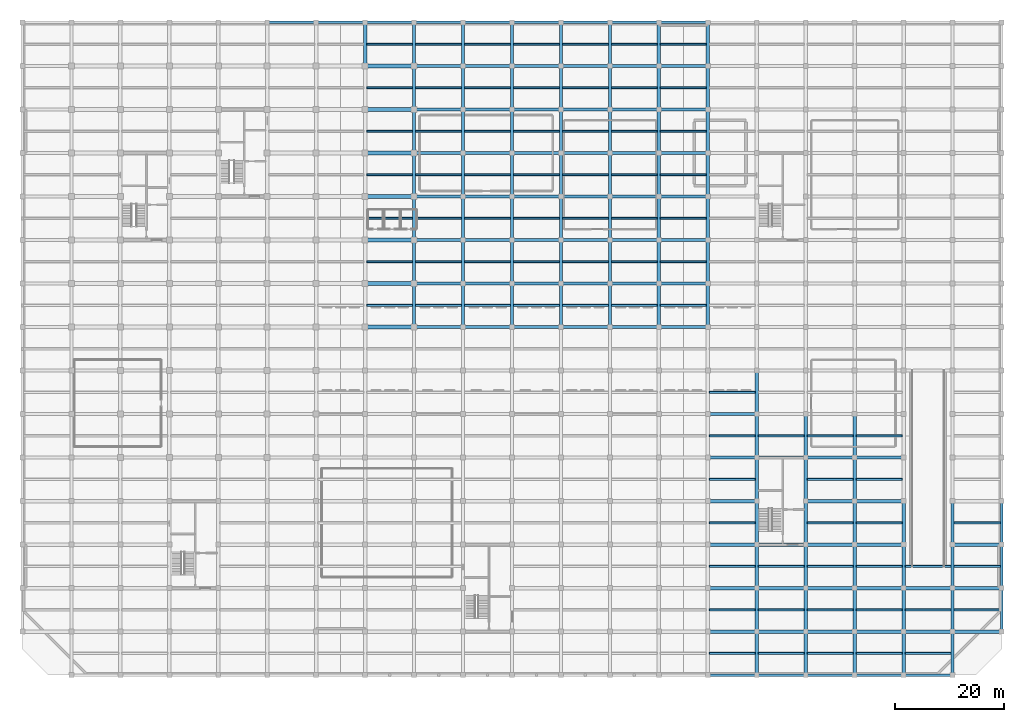
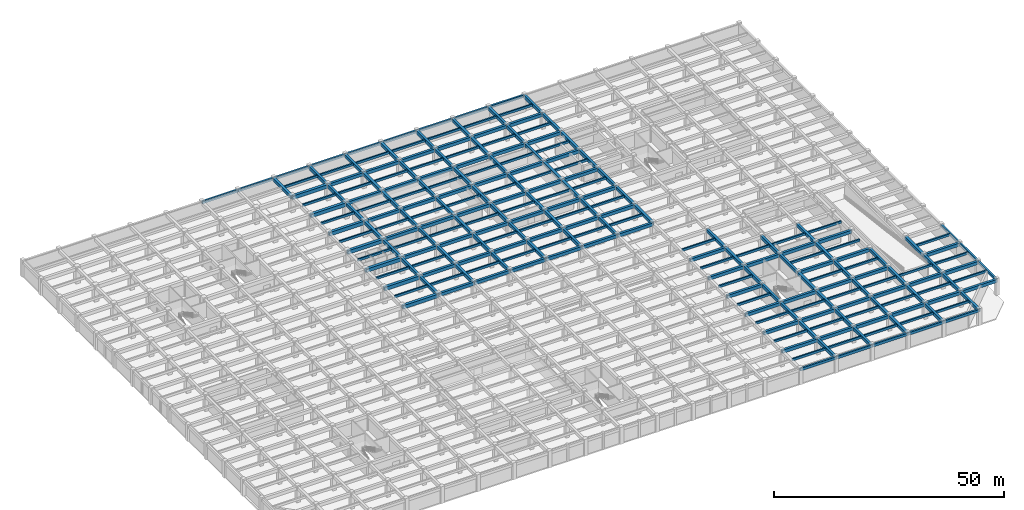
# One storey, part 6 of 26: 246 beams.
"""IFC4 building model written with IfcOpenShell, lengths in metres."""

from ifc_helpers import new_model, si_unit, direction, frame, origin, origin_2d, place, context, subcontext, project, spatial, rectangle, extrude, material, material_profile, profile_set, type_object, element, save


model = new_model("IFC4")

# Units and contexts
model_context = context("Model", 3, precision=1e-05, world=origin(), true_north=direction((0.0, 1.0)))
body_context = subcontext(model_context, "Body", "Model", "MODEL_VIEW")
ifc_project = project(units=[si_unit("LENGTHUNIT", "METRE"), si_unit("AREAUNIT", "SQUARE_METRE"), si_unit("VOLUMEUNIT", "CUBIC_METRE"), si_unit("PLANEANGLEUNIT", "RADIAN"), si_unit("MASSUNIT", "GRAM", prefix="KILO")], contexts=[model_context])

# Site, building, storey
site_placement = place(None, origin())
site = spatial("IfcSite", under=ifc_project, at=site_placement, CompositionType="ELEMENT")
building_placement = place(site_placement, origin())
building = spatial("IfcBuilding", under=site, at=building_placement, Name="Zaverband Oceanarium and Marine Research Institute", CompositionType="ELEMENT")
storey_placement = place(building_placement, frame((0.0, 0.0, -4.5)))
storey = spatial("IfcBuildingStorey", under=building, at=storey_placement, Name="B1", CompositionType="ELEMENT", Elevation=-4.5)

# Beams
ifc_material_1 = material(Name="Concrete C40/50", Category="concrete")
ifc_material_profile_1 = material_profile(ifc_material_1, rectangle(XDim=0.60009765625, YDim=0.85009765625, at=origin_2d()), Name="RC600x850")
ifc_profile_set_1 = profile_set([ifc_material_profile_1], Name="Concrete C40/50")
beam_type_1 = type_object("IfcBeamType", Name="BM-600x850", PredefinedType="BEAM", material=ifc_profile_set_1)
for number, where, z_axis, x_axis, name in (
    (1, (126.0, 8.0, 3.72509765625), (1.0, 0.0, 0.0), (0.0, 1.0, 0.0), "Primary floor girder BM-600x850"),
    (2, (135.0, 8.0, 3.72509765625), (1.0, 0.0, 0.0), (0.0, 1.0, 0.0), "Primary floor girder BM-600x850"),
    (3, (144.0, 8.0, 3.72509765625), (1.0, 0.0, 0.0), (0.0, 1.0, 0.0), "Primary floor girder BM-600x850"),
    (4, (153.0, 8.0, 3.72509765625), (1.0, 0.0, 0.0), (0.0, 1.0, 0.0), "Primary floor girder BM-600x850"),
    (5, (162.0, 8.0, 3.72509765625), (1.0, 0.0, 0.0), (0.0, 1.0, 0.0), "Primary floor girder BM-600x850"),
    (6, (171.0, 8.0, 3.72509765625), (1.0, 0.0, 0.0), (0.0, 1.0, 0.0), "Primary floor girder BM-600x850"),
    (7, (126.0, 16.0, 3.72509765625), (1.0, 0.0, 0.0), (0.0, 1.0, 0.0), "Primary floor girder BM-600x850"),
    (8, (135.0, 16.0, 3.72509765625), (1.0, 0.0, 0.0), (0.0, 1.0, 0.0), "Primary floor girder BM-600x850"),
    (9, (144.0, 16.0, 3.72509765625), (1.0, 0.0, 0.0), (0.0, 1.0, 0.0), "Primary floor girder BM-600x850"),
    (10, (153.0, 16.0, 3.72509765625), (1.0, 0.0, 0.0), (0.0, 1.0, 0.0), "Primary floor girder BM-600x850"),
    (11, (162.0, 16.0, 3.72509765625), (1.0, 0.0, 0.0), (0.0, 1.0, 0.0), "Primary floor girder BM-600x850"),
    (12, (171.0, 16.0, 3.72509765625), (1.0, 0.0, 0.0), (0.0, 1.0, 0.0), "Primary floor girder BM-600x850"),
    (13, (126.0, 24.0, 3.72509765625), (1.0, 0.0, 0.0), (0.0, 1.0, 0.0), "Primary floor girder BM-600x850"),
    (14, (135.0, 24.0, 3.72509765625), (1.0, 0.0, 0.0), (0.0, 1.0, 0.0), "Primary floor girder BM-600x850"),
    (15, (144.0, 24.0, 3.72509765625), (1.0, 0.0, 0.0), (0.0, 1.0, 0.0), "Primary floor girder BM-600x850"),
    (16, (153.0, 24.0, 3.72509765625), (1.0, 0.0, 0.0), (0.0, 1.0, 0.0), "Primary floor girder BM-600x850"),
    (17, (171.0, 24.0, 3.72509765625), (1.0, 0.0, 0.0), (0.0, 1.0, 0.0), "Primary floor girder BM-600x850"),
    (18, (126.0, 32.0, 3.72509765625), (1.0, 0.0, 0.0), (0.0, 1.0, 0.0), "Primary floor girder BM-600x850"),
    (19, (144.0, 32.0, 3.72509765625), (1.0, 0.0, 0.0), (0.0, 1.0, 0.0), "Primary floor girder BM-600x850"),
    (20, (153.0, 32.0, 3.72509765625), (1.0, 0.0, 0.0), (0.0, 1.0, 0.0), "Primary floor girder BM-600x850"),
    (21, (126.0, 40.0, 3.72509765625), (1.0, 0.0, 0.0), (0.0, 1.0, 0.0), "Primary floor girder BM-600x850"),
    (22, (135.0, 40.0, 3.72509765625), (1.0, 0.0, 0.0), (0.0, 1.0, 0.0), "Primary floor girder BM-600x850"),
    (23, (144.0, 40.0, 3.72509765625), (1.0, 0.0, 0.0), (0.0, 1.0, 0.0), "Primary floor girder BM-600x850"),
    (24, (153.0, 40.0, 3.72509765625), (1.0, 0.0, 0.0), (0.0, 1.0, 0.0), "Primary floor girder BM-600x850"),
    (25, (126.0, 48.0, 3.72509765625), (1.0, 0.0, 0.0), (0.0, 1.0, 0.0), "Primary floor girder BM-600x850"),
    (26, (72.0, 64.0, 3.72509765625), (1.0, 0.0, 0.0), (0.0, 1.0, 0.0), "Primary floor girder BM-600x850"),
    (27, (81.0, 64.0, 3.72509765625), (1.0, 0.0, 0.0), (0.0, 1.0, 0.0), "Primary floor girder BM-600x850"),
    (28, (90.0, 64.0, 3.72509765625), (1.0, 0.0, 0.0), (0.0, 1.0, 0.0), "Primary floor girder BM-600x850"),
    (29, (99.0, 64.0, 3.72509765625), (1.0, 0.0, 0.0), (0.0, 1.0, 0.0), "Primary floor girder BM-600x850"),
    (30, (108.0, 64.0, 3.72509765625), (1.0, 0.0, 0.0), (0.0, 1.0, 0.0), "Primary floor girder BM-600x850"),
    (31, (117.0, 64.0, 3.72509765625), (1.0, 0.0, 0.0), (0.0, 1.0, 0.0), "Primary floor girder BM-600x850"),
    (32, (72.0, 72.0, 3.72509765625), (1.0, 0.0, 0.0), (0.0, 1.0, 0.0), "Primary floor girder BM-600x850"),
    (33, (81.0, 72.0, 3.72509765625), (1.0, 0.0, 0.0), (0.0, 1.0, 0.0), "Primary floor girder BM-600x850"),
    (34, (90.0, 72.0, 3.72509765625), (1.0, 0.0, 0.0), (0.0, 1.0, 0.0), "Primary floor girder BM-600x850"),
    (35, (99.0, 72.0, 3.72509765625), (1.0, 0.0, 0.0), (0.0, 1.0, 0.0), "Primary floor girder BM-600x850"),
    (36, (108.0, 72.0, 3.72509765625), (1.0, 0.0, 0.0), (0.0, 1.0, 0.0), "Primary floor girder BM-600x850"),
    (37, (117.0, 72.0, 3.72509765625), (1.0, 0.0, 0.0), (0.0, 1.0, 0.0), "Primary floor girder BM-600x850"),
    (38, (72.0, 80.0, 3.72509765625), (1.0, 0.0, 0.0), (0.0, 1.0, 0.0), "Primary floor girder BM-600x850"),
    (39, (81.0, 80.0, 3.72509765625), (1.0, 0.0, 0.0), (0.0, 1.0, 0.0), "Primary floor girder BM-600x850"),
    (40, (90.0, 80.0, 3.72509765625), (1.0, 0.0, 0.0), (0.0, 1.0, 0.0), "Primary floor girder BM-600x850"),
    (41, (99.0, 80.0, 3.72509765625), (1.0, 0.0, 0.0), (0.0, 1.0, 0.0), "Primary floor girder BM-600x850"),
    (42, (108.0, 80.0, 3.72509765625), (1.0, 0.0, 0.0), (0.0, 1.0, 0.0), "Primary floor girder BM-600x850"),
    (43, (117.0, 80.0, 3.72509765625), (1.0, 0.0, 0.0), (0.0, 1.0, 0.0), "Primary floor girder BM-600x850"),
    (44, (72.0, 88.0, 3.72509765625), (1.0, 0.0, 0.0), (0.0, 1.0, 0.0), "Primary floor girder BM-600x850"),
    (45, (81.0, 88.0, 3.72509765625), (1.0, 0.0, 0.0), (0.0, 1.0, 0.0), "Primary floor girder BM-600x850"),
    (46, (90.0, 88.0, 3.72509765625), (1.0, 0.0, 0.0), (0.0, 1.0, 0.0), "Primary floor girder BM-600x850"),
    (47, (99.0, 88.0, 3.72509765625), (1.0, 0.0, 0.0), (0.0, 1.0, 0.0), "Primary floor girder BM-600x850"),
    (48, (108.0, 88.0, 3.72509765625), (1.0, 0.0, 0.0), (0.0, 1.0, 0.0), "Primary floor girder BM-600x850"),
    (49, (117.0, 88.0, 3.72509765625), (1.0, 0.0, 0.0), (0.0, 1.0, 0.0), "Primary floor girder BM-600x850"),
    (50, (72.0, 96.0, 3.72509765625), (1.0, 0.0, 0.0), (0.0, 1.0, 0.0), "Primary floor girder BM-600x850"),
    (51, (81.0, 96.0, 3.72509765625), (1.0, 0.0, 0.0), (0.0, 1.0, 0.0), "Primary floor girder BM-600x850"),
    (52, (90.0, 96.0, 3.72509765625), (1.0, 0.0, 0.0), (0.0, 1.0, 0.0), "Primary floor girder BM-600x850"),
    (53, (99.0, 96.0, 3.72509765625), (1.0, 0.0, 0.0), (0.0, 1.0, 0.0), "Primary floor girder BM-600x850"),
    (54, (108.0, 96.0, 3.72509765625), (1.0, 0.0, 0.0), (0.0, 1.0, 0.0), "Primary floor girder BM-600x850"),
    (55, (117.0, 96.0, 3.72509765625), (1.0, 0.0, 0.0), (0.0, 1.0, 0.0), "Primary floor girder BM-600x850"),
    (56, (72.0, 104.0, 3.72509765625), (1.0, 0.0, 0.0), (0.0, 1.0, 0.0), "Primary floor girder BM-600x850"),
    (57, (81.0, 104.0, 3.72509765625), (1.0, 0.0, 0.0), (0.0, 1.0, 0.0), "Primary floor girder BM-600x850"),
    (58, (90.0, 104.0, 3.72509765625), (1.0, 0.0, 0.0), (0.0, 1.0, 0.0), "Primary floor girder BM-600x850"),
    (59, (99.0, 104.0, 3.72509765625), (1.0, 0.0, 0.0), (0.0, 1.0, 0.0), "Primary floor girder BM-600x850"),
    (60, (108.0, 104.0, 3.72509765625), (1.0, 0.0, 0.0), (0.0, 1.0, 0.0), "Primary floor girder BM-600x850"),
    (61, (117.0, 104.0, 3.72509765625), (1.0, 0.0, 0.0), (0.0, 1.0, 0.0), "Primary floor girder BM-600x850"),
    (62, (72.0, 112.0, 3.72509765625), (1.0, 0.0, 0.0), (0.0, 1.0, 0.0), "Primary floor girder BM-600x850"),
    (63, (81.0, 112.0, 3.72509765625), (1.0, 0.0, 0.0), (0.0, 1.0, 0.0), "Primary floor girder BM-600x850"),
    (64, (90.0, 112.0, 3.72509765625), (1.0, 0.0, 0.0), (0.0, 1.0, 0.0), "Primary floor girder BM-600x850"),
    (65, (99.0, 112.0, 3.72509765625), (1.0, 0.0, 0.0), (0.0, 1.0, 0.0), "Primary floor girder BM-600x850"),
    (66, (108.0, 112.0, 3.72509765625), (1.0, 0.0, 0.0), (0.0, 1.0, 0.0), "Primary floor girder BM-600x850"),
    (67, (117.0, 112.0, 3.72509765625), (1.0, 0.0, 0.0), (0.0, 1.0, 0.0), "Primary floor girder BM-600x850"),
):
    element("IfcBeam", number, at=place(storey_placement, frame(where, z_axis=z_axis, x_axis=x_axis)), inside=storey, type_object=beam_type_1, Name=name, PredefinedType="BEAM", context=body_context, shape_type="SweptSolid", body=[
        extrude(rectangle(XDim=0.60009765625, YDim=0.85009765625, at=origin_2d()), origin(), (0.0, 0.0, 1.0), 9.0),
    ])
for number, where, z_axis, x_axis, name in (
    (68, (63.0, 112.0, 3.72509765625), (0.0, 1.0, 0.0), (-1.0, 0.0, 0.0), "Primary floor girder BM-600x850"),
    (69, (72.0, 64.0, 3.72509765625), (0.0, 1.0, 0.0), (-1.0, 0.0, 0.0), "Primary floor girder BM-600x850"),
    (70, (72.0, 72.0, 3.72509765625), (0.0, 1.0, 0.0), (-1.0, 0.0, 0.0), "Primary floor girder BM-600x850"),
    (71, (72.0, 80.0, 3.72509765625), (0.0, 1.0, 0.0), (-1.0, 0.0, 0.0), "Primary floor girder BM-600x850"),
    (72, (72.0, 88.0, 3.72509765625), (0.0, 1.0, 0.0), (-1.0, 0.0, 0.0), "Primary floor girder BM-600x850"),
    (73, (72.0, 96.0, 3.72509765625), (0.0, 1.0, 0.0), (-1.0, 0.0, 0.0), "Primary floor girder BM-600x850"),
    (74, (72.0, 104.0, 3.72509765625), (0.0, 1.0, 0.0), (-1.0, 0.0, 0.0), "Primary floor girder BM-600x850"),
    (75, (72.0, 112.0, 3.72509765625), (0.0, 1.0, 0.0), (-1.0, 0.0, 0.0), "Primary floor girder BM-600x850"),
    (76, (81.0, 64.0, 3.72509765625), (0.0, 1.0, 0.0), (-1.0, 0.0, 0.0), "Primary floor girder BM-600x850"),
    (77, (81.0, 72.0, 3.72509765625), (0.0, 1.0, 0.0), (-1.0, 0.0, 0.0), "Primary floor girder BM-600x850"),
    (78, (81.0, 80.0, 3.72509765625), (0.0, 1.0, 0.0), (-1.0, 0.0, 0.0), "Primary floor girder BM-600x850"),
    (79, (81.0, 88.0, 3.72509765625), (0.0, 1.0, 0.0), (-1.0, 0.0, 0.0), "Primary floor girder BM-600x850"),
    (80, (81.0, 96.0, 3.72509765625), (0.0, 1.0, 0.0), (-1.0, 0.0, 0.0), "Primary floor girder BM-600x850"),
    (81, (81.0, 104.0, 3.72509765625), (0.0, 1.0, 0.0), (-1.0, 0.0, 0.0), "Primary floor girder BM-600x850"),
    (82, (81.0, 112.0, 3.72509765625), (0.0, 1.0, 0.0), (-1.0, 0.0, 0.0), "Primary floor girder BM-600x850"),
    (83, (90.0, 64.0, 3.72509765625), (0.0, 1.0, 0.0), (-1.0, 0.0, 0.0), "Primary floor girder BM-600x850"),
    (84, (90.0, 72.0, 3.72509765625), (0.0, 1.0, 0.0), (-1.0, 0.0, 0.0), "Primary floor girder BM-600x850"),
    (85, (90.0, 80.0, 3.72509765625), (0.0, 1.0, 0.0), (-1.0, 0.0, 0.0), "Primary floor girder BM-600x850"),
    (86, (90.0, 88.0, 3.72509765625), (0.0, 1.0, 0.0), (-1.0, 0.0, 0.0), "Primary floor girder BM-600x850"),
    (87, (90.0, 96.0, 3.72509765625), (0.0, 1.0, 0.0), (-1.0, 0.0, 0.0), "Primary floor girder BM-600x850"),
    (88, (90.0, 104.0, 3.72509765625), (0.0, 1.0, 0.0), (-1.0, 0.0, 0.0), "Primary floor girder BM-600x850"),
    (89, (90.0, 112.0, 3.72509765625), (0.0, 1.0, 0.0), (-1.0, 0.0, 0.0), "Primary floor girder BM-600x850"),
    (90, (99.0, 64.0, 3.72509765625), (0.0, 1.0, 0.0), (-1.0, 0.0, 0.0), "Primary floor girder BM-600x850"),
    (91, (99.0, 72.0, 3.72509765625), (0.0, 1.0, 0.0), (-1.0, 0.0, 0.0), "Primary floor girder BM-600x850"),
    (92, (99.0, 80.0, 3.72509765625), (0.0, 1.0, 0.0), (-1.0, 0.0, 0.0), "Primary floor girder BM-600x850"),
    (93, (99.0, 88.0, 3.72509765625), (0.0, 1.0, 0.0), (-1.0, 0.0, 0.0), "Primary floor girder BM-600x850"),
    (94, (99.0, 96.0, 3.72509765625), (0.0, 1.0, 0.0), (-1.0, 0.0, 0.0), "Primary floor girder BM-600x850"),
    (95, (99.0, 104.0, 3.72509765625), (0.0, 1.0, 0.0), (-1.0, 0.0, 0.0), "Primary floor girder BM-600x850"),
    (96, (99.0, 112.0, 3.72509765625), (0.0, 1.0, 0.0), (-1.0, 0.0, 0.0), "Primary floor girder BM-600x850"),
    (97, (108.0, 64.0, 3.72509765625), (0.0, 1.0, 0.0), (-1.0, 0.0, 0.0), "Primary floor girder BM-600x850"),
    (98, (108.0, 72.0, 3.72509765625), (0.0, 1.0, 0.0), (-1.0, 0.0, 0.0), "Primary floor girder BM-600x850"),
    (99, (108.0, 80.0, 3.72509765625), (0.0, 1.0, 0.0), (-1.0, 0.0, 0.0), "Primary floor girder BM-600x850"),
    (100, (108.0, 88.0, 3.72509765625), (0.0, 1.0, 0.0), (-1.0, 0.0, 0.0), "Primary floor girder BM-600x850"),
    (101, (108.0, 96.0, 3.72509765625), (0.0, 1.0, 0.0), (-1.0, 0.0, 0.0), "Primary floor girder BM-600x850"),
    (102, (108.0, 104.0, 3.72509765625), (0.0, 1.0, 0.0), (-1.0, 0.0, 0.0), "Primary floor girder BM-600x850"),
    (103, (108.0, 112.0, 3.72509765625), (0.0, 1.0, 0.0), (-1.0, 0.0, 0.0), "Primary floor girder BM-600x850"),
    (104, (117.0, 64.0, 3.72509765625), (0.0, 1.0, 0.0), (-1.0, 0.0, 0.0), "Primary floor girder BM-600x850"),
    (105, (117.0, 72.0, 3.72509765625), (0.0, 1.0, 0.0), (-1.0, 0.0, 0.0), "Primary floor girder BM-600x850"),
    (106, (117.0, 80.0, 3.72509765625), (0.0, 1.0, 0.0), (-1.0, 0.0, 0.0), "Primary floor girder BM-600x850"),
    (107, (117.0, 88.0, 3.72509765625), (0.0, 1.0, 0.0), (-1.0, 0.0, 0.0), "Primary floor girder BM-600x850"),
    (108, (117.0, 96.0, 3.72509765625), (0.0, 1.0, 0.0), (-1.0, 0.0, 0.0), "Primary floor girder BM-600x850"),
    (109, (117.0, 104.0, 3.72509765625), (0.0, 1.0, 0.0), (-1.0, 0.0, 0.0), "Primary floor girder BM-600x850"),
    (110, (117.0, 112.0, 3.72509765625), (0.0, 1.0, 0.0), (-1.0, 0.0, 0.0), "Primary floor girder BM-600x850"),
    (111, (126.0, 64.0, 3.72509765625), (0.0, 1.0, 0.0), (-1.0, 0.0, 0.0), "Primary floor girder BM-600x850"),
    (112, (126.0, 72.0, 3.72509765625), (0.0, 1.0, 0.0), (-1.0, 0.0, 0.0), "Primary floor girder BM-600x850"),
    (113, (126.0, 80.0, 3.72509765625), (0.0, 1.0, 0.0), (-1.0, 0.0, 0.0), "Primary floor girder BM-600x850"),
    (114, (126.0, 88.0, 3.72509765625), (0.0, 1.0, 0.0), (-1.0, 0.0, 0.0), "Primary floor girder BM-600x850"),
    (115, (126.0, 96.0, 3.72509765625), (0.0, 1.0, 0.0), (-1.0, 0.0, 0.0), "Primary floor girder BM-600x850"),
    (116, (126.0, 104.0, 3.72509765625), (0.0, 1.0, 0.0), (-1.0, 0.0, 0.0), "Primary floor girder BM-600x850"),
    (117, (126.0, 112.0, 3.72509765625), (0.0, 1.0, 0.0), (-1.0, 0.0, 0.0), "Primary floor girder BM-600x850"),
    (118, (135.0, 0.0, 3.72509765625), (0.0, 1.0, 0.0), (-1.0, 0.0, 0.0), "Primary floor girder BM-600x850"),
    (119, (135.0, 8.0, 3.72509765625), (0.0, 1.0, 0.0), (-1.0, 0.0, 0.0), "Primary floor girder BM-600x850"),
    (120, (135.0, 16.0, 3.72509765625), (0.0, 1.0, 0.0), (-1.0, 0.0, 0.0), "Primary floor girder BM-600x850"),
    (121, (135.0, 24.0, 3.72509765625), (0.0, 1.0, 0.0), (-1.0, 0.0, 0.0), "Primary floor girder BM-600x850"),
    (122, (135.0, 32.0, 3.72509765625), (0.0, 1.0, 0.0), (-1.0, 0.0, 0.0), "Primary floor girder BM-600x850"),
    (123, (135.0, 40.0, 3.72509765625), (0.0, 1.0, 0.0), (-1.0, 0.0, 0.0), "Primary floor girder BM-600x850"),
    (124, (135.0, 48.0, 3.72509765625), (0.0, 1.0, 0.0), (-1.0, 0.0, 0.0), "Primary floor girder BM-600x850"),
    (125, (144.0, 0.0, 3.72509765625), (0.0, 1.0, 0.0), (-1.0, 0.0, 0.0), "Primary floor girder BM-600x850"),
    (126, (144.0, 8.0, 3.72509765625), (0.0, 1.0, 0.0), (-1.0, 0.0, 0.0), "Primary floor girder BM-600x850"),
    (127, (144.0, 16.0, 3.72509765625), (0.0, 1.0, 0.0), (-1.0, 0.0, 0.0), "Primary floor girder BM-600x850"),
    (128, (144.0, 24.0, 3.72509765625), (0.0, 1.0, 0.0), (-1.0, 0.0, 0.0), "Primary floor girder BM-600x850"),
    (129, (144.0, 32.0, 3.72509765625), (0.0, 1.0, 0.0), (-1.0, 0.0, 0.0), "Primary floor girder BM-600x850"),
    (130, (144.0, 40.0, 3.72509765625), (0.0, 1.0, 0.0), (-1.0, 0.0, 0.0), "Primary floor girder BM-600x850"),
    (131, (153.0, 0.0, 3.72509765625), (0.0, 1.0, 0.0), (-1.0, 0.0, 0.0), "Primary floor girder BM-600x850"),
    (132, (153.0, 8.0, 3.72509765625), (0.0, 1.0, 0.0), (-1.0, 0.0, 0.0), "Primary floor girder BM-600x850"),
    (133, (153.0, 16.0, 3.72509765625), (0.0, 1.0, 0.0), (-1.0, 0.0, 0.0), "Primary floor girder BM-600x850"),
    (134, (153.0, 24.0, 3.72509765625), (0.0, 1.0, 0.0), (-1.0, 0.0, 0.0), "Primary floor girder BM-600x850"),
    (135, (153.0, 32.0, 3.72509765625), (0.0, 1.0, 0.0), (-1.0, 0.0, 0.0), "Primary floor girder BM-600x850"),
    (136, (153.0, 40.0, 3.72509765625), (0.0, 1.0, 0.0), (-1.0, 0.0, 0.0), "Primary floor girder BM-600x850"),
    (137, (162.0, 0.0, 3.72509765625), (0.0, 1.0, 0.0), (-1.0, 0.0, 0.0), "Primary floor girder BM-600x850"),
    (138, (162.0, 8.0, 3.72509765625), (0.0, 1.0, 0.0), (-1.0, 0.0, 0.0), "Primary floor girder BM-600x850"),
    (139, (162.0, 16.0, 3.72509765625), (0.0, 1.0, 0.0), (-1.0, 0.0, 0.0), "Primary floor girder BM-600x850"),
    (140, (162.0, 24.0, 3.72509765625), (0.0, 1.0, 0.0), (-1.0, 0.0, 0.0), "Primary floor girder BM-600x850"),
    (141, (171.0, 0.0, 3.72509765625), (0.0, 1.0, 0.0), (-1.0, 0.0, 0.0), "Primary floor girder BM-600x850"),
    (142, (171.0, 8.0, 3.72509765625), (0.0, 1.0, 0.0), (-1.0, 0.0, 0.0), "Primary floor girder BM-600x850"),
    (143, (171.0, 16.0, 3.72509765625), (0.0, 1.0, 0.0), (-1.0, 0.0, 0.0), "Primary floor girder BM-600x850"),
    (144, (171.0, 24.0, 3.72509765625), (0.0, 1.0, 0.0), (-1.0, 0.0, 0.0), "Primary floor girder BM-600x850"),
):
    element("IfcBeam", number, at=place(storey_placement, frame(where, z_axis=z_axis, x_axis=x_axis)), inside=storey, type_object=beam_type_1, Name=name, PredefinedType="BEAM", context=body_context, shape_type="SweptSolid", body=[
        extrude(rectangle(XDim=0.60009765625, YDim=0.85009765625, at=origin_2d()), origin(), (0.0, 0.0, 1.0), 8.0),
    ])
ifc_material_2 = material(Name="Concrete C50/60", Category="concrete")
ifc_material_profile_2 = material_profile(ifc_material_2, rectangle(XDim=0.699951171875, YDim=0.949951171875, at=origin_2d()), Name="RC700x950")
ifc_profile_set_2 = profile_set([ifc_material_profile_2], Name="Concrete C50/60")
beam_type_2 = type_object("IfcBeamType", Name="BM-700x950", PredefinedType="BEAM", material=ifc_profile_set_2)
for number, where, z_axis, x_axis, name in (
    (145, (63.0, 64.0, 3.675048828125), (1.0, 0.0, 0.0), (0.0, 1.0, 0.0), "Primary floor girder BM-700x950"),
    (146, (63.0, 72.0, 3.675048828125), (1.0, 0.0, 0.0), (0.0, 1.0, 0.0), "Primary floor girder BM-700x950"),
    (147, (63.0, 80.0, 3.675048828125), (1.0, 0.0, 0.0), (0.0, 1.0, 0.0), "Primary floor girder BM-700x950"),
    (148, (63.0, 88.0, 3.675048828125), (1.0, 0.0, 0.0), (0.0, 1.0, 0.0), "Primary floor girder BM-700x950"),
    (149, (63.0, 96.0, 3.675048828125), (1.0, 0.0, 0.0), (0.0, 1.0, 0.0), "Primary floor girder BM-700x950"),
    (150, (63.0, 104.0, 3.675048828125), (1.0, 0.0, 0.0), (0.0, 1.0, 0.0), "Primary floor girder BM-700x950"),
    (151, (63.0, 112.0, 3.675048828125), (1.0, 0.0, 0.0), (0.0, 1.0, 0.0), "Primary floor girder BM-700x950"),
):
    element("IfcBeam", number, at=place(storey_placement, frame(where, z_axis=z_axis, x_axis=x_axis)), inside=storey, type_object=beam_type_2, Name=name, PredefinedType="BEAM", context=body_context, shape_type="SweptSolid", body=[
        extrude(rectangle(XDim=0.699951171875, YDim=0.949951171875, at=origin_2d()), origin(), (0.0, 0.0, 1.0), 9.0),
    ])
ifc_material_profile_3 = material_profile(ifc_material_1, rectangle(XDim=0.35009765625, YDim=0.60009765625, at=origin_2d()), Name="RC350x600")
ifc_profile_set_3 = profile_set([ifc_material_profile_3], Name="Concrete C40/50")
beam_type_3 = type_object("IfcBeamType", Name="JST-350x600", PredefinedType="JOIST", material=ifc_profile_set_3)
for number, where, z_axis, x_axis, name in (
    (152, (63.300048828125, 68.0, 3.85009765625), (1.0, 0.0, 0.0), (0.0, 1.0, 0.0), "Secondary floor joist JST-350x600"),
    (153, (63.300048828125, 76.0, 3.85009765625), (1.0, 0.0, 0.0), (0.0, 1.0, 0.0), "Secondary floor joist JST-350x600"),
    (154, (63.300048828125, 84.0, 3.85009765625), (1.0, 0.0, 0.0), (0.0, 1.0, 0.0), "Secondary floor joist JST-350x600"),
    (155, (63.300048828125, 92.0, 3.85009765625), (1.0, 0.0, 0.0), (0.0, 1.0, 0.0), "Secondary floor joist JST-350x600"),
    (156, (63.300048828125, 100.0, 3.85009765625), (1.0, 0.0, 0.0), (0.0, 1.0, 0.0), "Secondary floor joist JST-350x600"),
    (157, (63.300048828125, 108.0, 3.85009765625), (1.0, 0.0, 0.0), (0.0, 1.0, 0.0), "Secondary floor joist JST-350x600"),
    (158, (63.300048828125, 116.0, 3.85009765625), (1.0, 0.0, 0.0), (0.0, 1.0, 0.0), "Secondary floor joist JST-350x600"),
    (159, (72.300048828125, 68.0, 3.85009765625), (1.0, 0.0, 0.0), (0.0, 1.0, 0.0), "Secondary floor joist JST-350x600"),
    (160, (72.300048828125, 76.0, 3.85009765625), (1.0, 0.0, 0.0), (0.0, 1.0, 0.0), "Secondary floor joist JST-350x600"),
    (161, (72.300048828125, 84.0, 3.85009765625), (1.0, 0.0, 0.0), (0.0, 1.0, 0.0), "Secondary floor joist JST-350x600"),
    (162, (72.300048828125, 92.0, 3.85009765625), (1.0, 0.0, 0.0), (0.0, 1.0, 0.0), "Secondary floor joist JST-350x600"),
    (163, (72.300048828125, 100.0, 3.85009765625), (1.0, 0.0, 0.0), (0.0, 1.0, 0.0), "Secondary floor joist JST-350x600"),
    (164, (72.300048828125, 108.0, 3.85009765625), (1.0, 0.0, 0.0), (0.0, 1.0, 0.0), "Secondary floor joist JST-350x600"),
    (165, (72.300048828125, 116.0, 3.85009765625), (1.0, 0.0, 0.0), (0.0, 1.0, 0.0), "Secondary floor joist JST-350x600"),
    (166, (81.300048828125, 68.0, 3.85009765625), (1.0, 0.0, 0.0), (0.0, 1.0, 0.0), "Secondary floor joist JST-350x600"),
    (167, (81.300048828125, 76.0, 3.85009765625), (1.0, 0.0, 0.0), (0.0, 1.0, 0.0), "Secondary floor joist JST-350x600"),
    (168, (81.300048828125, 84.0, 3.85009765625), (1.0, 0.0, 0.0), (0.0, 1.0, 0.0), "Secondary floor joist JST-350x600"),
    (169, (81.300048828125, 92.0, 3.85009765625), (1.0, 0.0, 0.0), (0.0, 1.0, 0.0), "Secondary floor joist JST-350x600"),
    (170, (81.300048828125, 100.0, 3.85009765625), (1.0, 0.0, 0.0), (0.0, 1.0, 0.0), "Secondary floor joist JST-350x600"),
    (171, (81.300048828125, 108.0, 3.85009765625), (1.0, 0.0, 0.0), (0.0, 1.0, 0.0), "Secondary floor joist JST-350x600"),
    (172, (81.300048828125, 116.0, 3.85009765625), (1.0, 0.0, 0.0), (0.0, 1.0, 0.0), "Secondary floor joist JST-350x600"),
    (173, (90.300048828125, 68.0, 3.85009765625), (1.0, 0.0, 0.0), (0.0, 1.0, 0.0), "Secondary floor joist JST-350x600"),
    (174, (90.300048828125, 76.0, 3.85009765625), (1.0, 0.0, 0.0), (0.0, 1.0, 0.0), "Secondary floor joist JST-350x600"),
    (175, (90.300048828125, 84.0, 3.85009765625), (1.0, 0.0, 0.0), (0.0, 1.0, 0.0), "Secondary floor joist JST-350x600"),
    (176, (90.300048828125, 92.0, 3.85009765625), (1.0, 0.0, 0.0), (0.0, 1.0, 0.0), "Secondary floor joist JST-350x600"),
    (177, (90.300048828125, 100.0, 3.85009765625), (1.0, 0.0, 0.0), (0.0, 1.0, 0.0), "Secondary floor joist JST-350x600"),
    (178, (90.300048828125, 108.0, 3.85009765625), (1.0, 0.0, 0.0), (0.0, 1.0, 0.0), "Secondary floor joist JST-350x600"),
    (179, (90.300048828125, 116.0, 3.85009765625), (1.0, 0.0, 0.0), (0.0, 1.0, 0.0), "Secondary floor joist JST-350x600"),
    (180, (99.300048828125, 68.0, 3.85009765625), (1.0, 0.0, 0.0), (0.0, 1.0, 0.0), "Secondary floor joist JST-350x600"),
    (181, (99.300048828125, 76.0, 3.85009765625), (1.0, 0.0, 0.0), (0.0, 1.0, 0.0), "Secondary floor joist JST-350x600"),
    (182, (99.300048828125, 84.0, 3.85009765625), (1.0, 0.0, 0.0), (0.0, 1.0, 0.0), "Secondary floor joist JST-350x600"),
    (183, (99.300048828125, 92.0, 3.85009765625), (1.0, 0.0, 0.0), (0.0, 1.0, 0.0), "Secondary floor joist JST-350x600"),
    (184, (99.300048828125, 100.0, 3.85009765625), (1.0, 0.0, 0.0), (0.0, 1.0, 0.0), "Secondary floor joist JST-350x600"),
    (185, (99.300048828125, 108.0, 3.85009765625), (1.0, 0.0, 0.0), (0.0, 1.0, 0.0), "Secondary floor joist JST-350x600"),
    (186, (99.300048828125, 116.0, 3.85009765625), (1.0, 0.0, 0.0), (0.0, 1.0, 0.0), "Secondary floor joist JST-350x600"),
    (187, (108.300048828125, 68.0, 3.85009765625), (1.0, 0.0, 0.0), (0.0, 1.0, 0.0), "Secondary floor joist JST-350x600"),
    (188, (108.300048828125, 76.0, 3.85009765625), (1.0, 0.0, 0.0), (0.0, 1.0, 0.0), "Secondary floor joist JST-350x600"),
    (189, (108.300048828125, 84.0, 3.85009765625), (1.0, 0.0, 0.0), (0.0, 1.0, 0.0), "Secondary floor joist JST-350x600"),
    (190, (108.300048828125, 92.0, 3.85009765625), (1.0, 0.0, 0.0), (0.0, 1.0, 0.0), "Secondary floor joist JST-350x600"),
    (191, (108.300048828125, 100.0, 3.85009765625), (1.0, 0.0, 0.0), (0.0, 1.0, 0.0), "Secondary floor joist JST-350x600"),
    (192, (108.300048828125, 108.0, 3.85009765625), (1.0, 0.0, 0.0), (0.0, 1.0, 0.0), "Secondary floor joist JST-350x600"),
    (193, (108.300048828125, 116.0, 3.85009765625), (1.0, 0.0, 0.0), (0.0, 1.0, 0.0), "Secondary floor joist JST-350x600"),
    (194, (117.300048828125, 68.0, 3.85009765625), (1.0, 0.0, 0.0), (0.0, 1.0, 0.0), "Secondary floor joist JST-350x600"),
    (195, (117.300048828125, 76.0, 3.85009765625), (1.0, 0.0, 0.0), (0.0, 1.0, 0.0), "Secondary floor joist JST-350x600"),
    (196, (117.300048828125, 84.0, 3.85009765625), (1.0, 0.0, 0.0), (0.0, 1.0, 0.0), "Secondary floor joist JST-350x600"),
    (197, (117.300048828125, 92.0, 3.85009765625), (1.0, 0.0, 0.0), (0.0, 1.0, 0.0), "Secondary floor joist JST-350x600"),
    (198, (117.300048828125, 100.0, 3.85009765625), (1.0, 0.0, 0.0), (0.0, 1.0, 0.0), "Secondary floor joist JST-350x600"),
    (199, (117.300048828125, 108.0, 3.85009765625), (1.0, 0.0, 0.0), (0.0, 1.0, 0.0), "Secondary floor joist JST-350x600"),
    (200, (117.300048828125, 116.0, 3.85009765625), (1.0, 0.0, 0.0), (0.0, 1.0, 0.0), "Secondary floor joist JST-350x600"),
    (201, (126.300048828125, 4.0, 3.85009765625), (1.0, 0.0, 0.0), (0.0, 1.0, 0.0), "Secondary floor joist JST-350x600"),
    (202, (126.300048828125, 12.0, 3.85009765625), (1.0, 0.0, 0.0), (0.0, 1.0, 0.0), "Secondary floor joist JST-350x600"),
    (203, (126.300048828125, 20.0, 3.85009765625), (1.0, 0.0, 0.0), (0.0, 1.0, 0.0), "Secondary floor joist JST-350x600"),
    (204, (126.300048828125, 28.0, 3.85009765625), (1.0, 0.0, 0.0), (0.0, 1.0, 0.0), "Secondary floor joist JST-350x600"),
    (205, (126.300048828125, 36.0, 3.85009765625), (1.0, 0.0, 0.0), (0.0, 1.0, 0.0), "Secondary floor joist JST-350x600"),
    (206, (126.300048828125, 44.0, 3.85009765625), (1.0, 0.0, 0.0), (0.0, 1.0, 0.0), "Secondary floor joist JST-350x600"),
    (207, (126.300048828125, 52.0, 3.85009765625), (1.0, 0.0, 0.0), (0.0, 1.0, 0.0), "Secondary floor joist JST-350x600"),
    (208, (135.300048828125, 4.0, 3.85009765625), (1.0, 0.0, 0.0), (0.0, 1.0, 0.0), "Secondary floor joist JST-350x600"),
    (209, (135.300048828125, 12.0, 3.85009765625), (1.0, 0.0, 0.0), (0.0, 1.0, 0.0), "Secondary floor joist JST-350x600"),
    (210, (135.300048828125, 20.0, 3.85009765625), (1.0, 0.0, 0.0), (0.0, 1.0, 0.0), "Secondary floor joist JST-350x600"),
    (211, (135.300048828125, 44.0, 3.85009765625), (1.0, 0.0, 0.0), (0.0, 1.0, 0.0), "Secondary floor joist JST-350x600"),
    (212, (144.300048828125, 4.0, 3.85009765625), (1.0, 0.0, 0.0), (0.0, 1.0, 0.0), "Secondary floor joist JST-350x600"),
    (213, (144.300048828125, 12.0, 3.85009765625), (1.0, 0.0, 0.0), (0.0, 1.0, 0.0), "Secondary floor joist JST-350x600"),
    (214, (144.300048828125, 20.0, 3.85009765625), (1.0, 0.0, 0.0), (0.0, 1.0, 0.0), "Secondary floor joist JST-350x600"),
    (215, (144.300048828125, 28.0, 3.85009765625), (1.0, 0.0, 0.0), (0.0, 1.0, 0.0), "Secondary floor joist JST-350x600"),
    (216, (144.300048828125, 36.0, 3.85009765625), (1.0, 0.0, 0.0), (0.0, 1.0, 0.0), "Secondary floor joist JST-350x600"),
    (217, (144.300048828125, 44.0, 3.85009765625), (1.0, 0.0, 0.0), (0.0, 1.0, 0.0), "Secondary floor joist JST-350x600"),
    (218, (153.300048828125, 4.0, 3.85009765625), (1.0, 0.0, 0.0), (0.0, 1.0, 0.0), "Secondary floor joist JST-350x600"),
    (219, (153.300048828125, 12.0, 3.85009765625), (1.0, 0.0, 0.0), (0.0, 1.0, 0.0), "Secondary floor joist JST-350x600"),
    (220, (153.300048828125, 20.0, 3.85009765625), (1.0, 0.0, 0.0), (0.0, 1.0, 0.0), "Secondary floor joist JST-350x600"),
    (221, (153.300048828125, 28.0, 3.85009765625), (1.0, 0.0, 0.0), (0.0, 1.0, 0.0), "Secondary floor joist JST-350x600"),
    (222, (153.300048828125, 36.0, 3.85009765625), (1.0, 0.0, 0.0), (0.0, 1.0, 0.0), "Secondary floor joist JST-350x600"),
    (223, (153.300048828125, 44.0, 3.85009765625), (1.0, 0.0, 0.0), (0.0, 1.0, 0.0), "Secondary floor joist JST-350x600"),
    (224, (162.300048828125, 4.0, 3.85009765625), (1.0, 0.0, 0.0), (0.0, 1.0, 0.0), "Secondary floor joist JST-350x600"),
    (225, (162.300048828125, 12.0, 3.85009765625), (1.0, 0.0, 0.0), (0.0, 1.0, 0.0), "Secondary floor joist JST-350x600"),
    (226, (162.300048828125, 20.0, 3.85009765625), (1.0, 0.0, 0.0), (0.0, 1.0, 0.0), "Secondary floor joist JST-350x600"),
):
    element("IfcBeam", number, at=place(storey_placement, frame(where, z_axis=z_axis, x_axis=x_axis)), inside=storey, type_object=beam_type_3, Name=name, PredefinedType="JOIST", context=body_context, shape_type="SweptSolid", body=[
        extrude(rectangle(XDim=0.35009765625, YDim=0.60009765625, at=origin_2d()), origin(), (0.0, 0.0, 1.0), 8.39990234375),
    ])
for number, where, z_axis, x_axis, name in (
    (227, (171.300048828125, 12.0, 3.85009765625), (1.0, 0.0, 0.0), (0.0, 1.0, 0.0), "Secondary floor joist JST-350x600"),
    (228, (171.300048828125, 20.0, 3.85009765625), (1.0, 0.0, 0.0), (0.0, 1.0, 0.0), "Secondary floor joist JST-350x600"),
    (229, (171.300048828125, 28.0, 3.85009765625), (1.0, 0.0, 0.0), (0.0, 1.0, 0.0), "Secondary floor joist JST-350x600"),
):
    element("IfcBeam", number, at=place(storey_placement, frame(where, z_axis=z_axis, x_axis=x_axis)), inside=storey, type_object=beam_type_3, Name=name, PredefinedType="JOIST", context=body_context, shape_type="SweptSolid", body=[
        extrude(rectangle(XDim=0.35009765625, YDim=0.60009765625, at=origin_2d()), origin(), (0.0, 0.0, 1.0), 8.474853515625),
    ])
ifc_material_profile_4 = material_profile(ifc_material_1, rectangle(XDim=0.449951171875, YDim=0.699951171875, at=origin_2d()), Name="RC450x700")
ifc_profile_set_4 = profile_set([ifc_material_profile_4], Name="Concrete C40/50")
beam_type_4 = type_object("IfcBeamType", Name="SPN-450x700", PredefinedType="SPANDREL", material=ifc_profile_set_4)
for number, where, z_axis, x_axis, name in (
    (230, (126.0, 0.0, 3.800048828125), (1.0, 0.0, 0.0), (0.0, 1.0, 0.0), "Perimeter spandrel beam SPN-450x700"),
    (231, (135.0, 0.0, 3.800048828125), (1.0, 0.0, 0.0), (0.0, 1.0, 0.0), "Perimeter spandrel beam SPN-450x700"),
    (232, (144.0, 0.0, 3.800048828125), (1.0, 0.0, 0.0), (0.0, 1.0, 0.0), "Perimeter spandrel beam SPN-450x700"),
    (233, (153.0, 0.0, 3.800048828125), (1.0, 0.0, 0.0), (0.0, 1.0, 0.0), "Perimeter spandrel beam SPN-450x700"),
    (234, (162.0, 0.0, 3.800048828125), (1.0, 0.0, 0.0), (0.0, 1.0, 0.0), "Perimeter spandrel beam SPN-450x700"),
    (235, (45.0, 120.0, 3.800048828125), (1.0, 0.0, 0.0), (0.0, 1.0, 0.0), "Perimeter spandrel beam SPN-450x700"),
    (236, (54.0, 120.0, 3.800048828125), (1.0, 0.0, 0.0), (0.0, 1.0, 0.0), "Perimeter spandrel beam SPN-450x700"),
    (237, (63.0, 120.0, 3.800048828125), (1.0, 0.0, 0.0), (0.0, 1.0, 0.0), "Perimeter spandrel beam SPN-450x700"),
    (238, (72.0, 120.0, 3.800048828125), (1.0, 0.0, 0.0), (0.0, 1.0, 0.0), "Perimeter spandrel beam SPN-450x700"),
    (239, (81.0, 120.0, 3.800048828125), (1.0, 0.0, 0.0), (0.0, 1.0, 0.0), "Perimeter spandrel beam SPN-450x700"),
    (240, (90.0, 120.0, 3.800048828125), (1.0, 0.0, 0.0), (0.0, 1.0, 0.0), "Perimeter spandrel beam SPN-450x700"),
    (241, (99.0, 120.0, 3.800048828125), (1.0, 0.0, 0.0), (0.0, 1.0, 0.0), "Perimeter spandrel beam SPN-450x700"),
    (242, (108.0, 120.0, 3.800048828125), (1.0, 0.0, 0.0), (0.0, 1.0, 0.0), "Perimeter spandrel beam SPN-450x700"),
    (243, (117.0, 120.0, 3.800048828125), (1.0, 0.0, 0.0), (0.0, 1.0, 0.0), "Perimeter spandrel beam SPN-450x700"),
):
    element("IfcBeam", number, at=place(storey_placement, frame(where, z_axis=z_axis, x_axis=x_axis)), inside=storey, type_object=beam_type_4, Name=name, PredefinedType="SPANDREL", context=body_context, shape_type="SweptSolid", body=[
        extrude(rectangle(XDim=0.449951171875, YDim=0.699951171875, at=origin_2d()), origin(), (0.0, 0.0, 1.0), 9.0),
    ])
for number, where, z_axis, x_axis, name in (
    (244, (180.0, 8.0, 3.800048828125), (0.0, 1.0, 0.0), (-1.0, 0.0, 0.0), "Perimeter spandrel beam SPN-450x700"),
    (245, (180.0, 16.0, 3.800048828125), (0.0, 1.0, 0.0), (-1.0, 0.0, 0.0), "Perimeter spandrel beam SPN-450x700"),
    (246, (180.0, 24.0, 3.800048828125), (0.0, 1.0, 0.0), (-1.0, 0.0, 0.0), "Perimeter spandrel beam SPN-450x700"),
):
    element("IfcBeam", number, at=place(storey_placement, frame(where, z_axis=z_axis, x_axis=x_axis)), inside=storey, type_object=beam_type_4, Name=name, PredefinedType="SPANDREL", context=body_context, shape_type="SweptSolid", body=[
        extrude(rectangle(XDim=0.449951171875, YDim=0.699951171875, at=origin_2d()), origin(), (0.0, 0.0, 1.0), 8.0),
    ])

save(model, "model.ifc")
